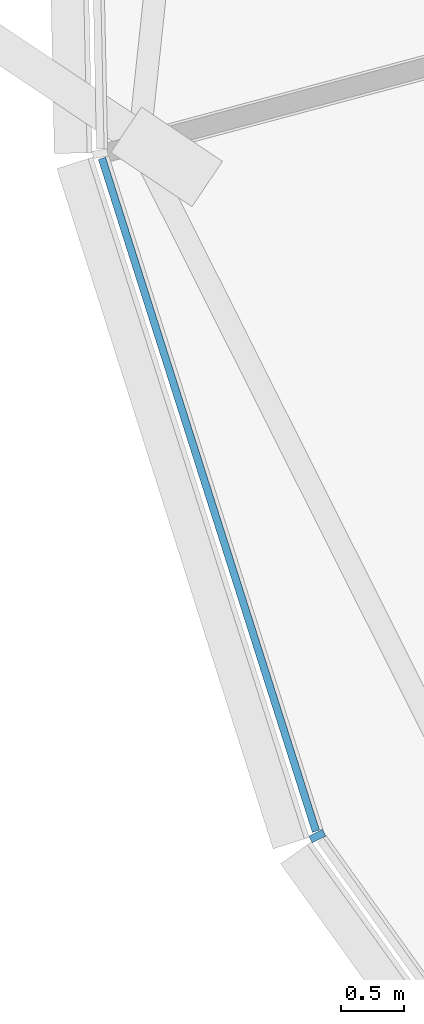
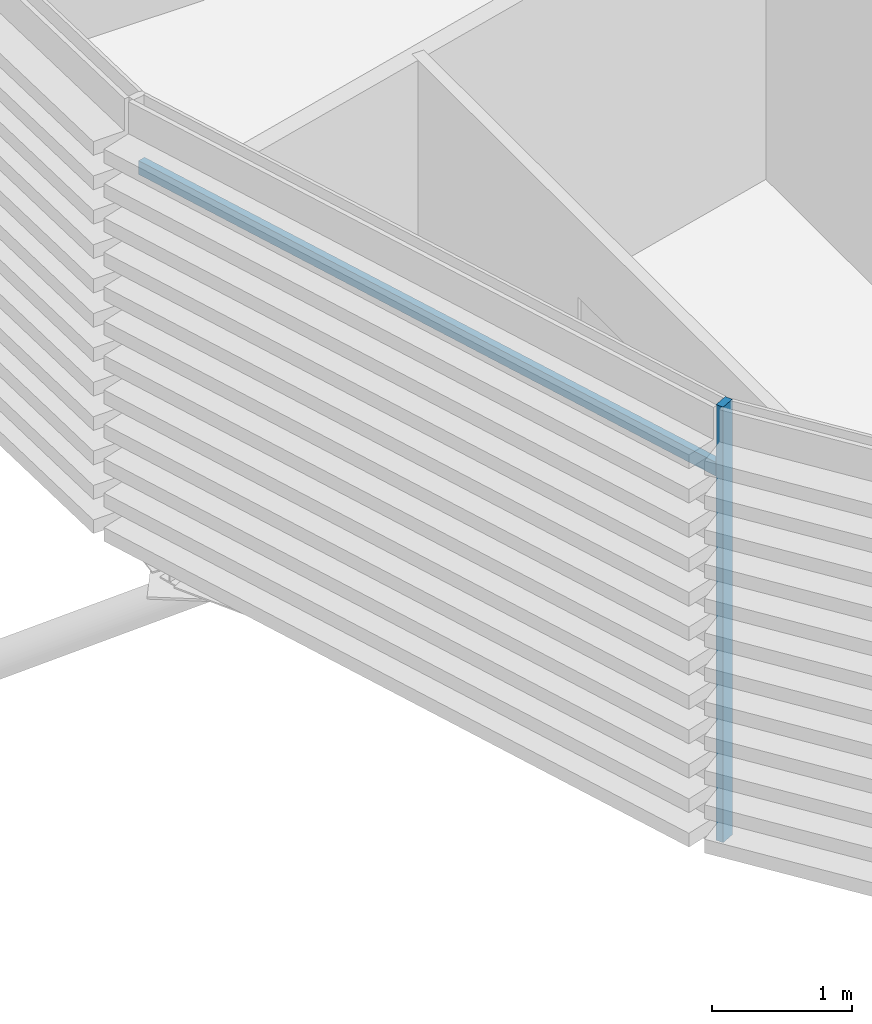
# One storey, part 7 of 36: 2 members, 1 element without a shape of its own.
"""IFC4 building model written with IfcOpenShell, lengths in metres."""

import ifcopenshell
import ifcopenshell.guid

model = None  # the IFC model being written
_history = None  # IfcOwnerHistory: only IFC2X3 demands one
_inside = {}  # id of a spatial element -> (the spatial element, [elements in it])
_under = {}  # id of a project, library or spatial element -> (it, [spatial elements below it])
_declared = {}  # id of a project -> (the project, [libraries it declares])
_typed = {}  # id of a type object -> (the type object, [elements of that type])
_made_of = {}  # id of a material, layer set ... -> (it, [elements and type objects made of it])


def new_model(schema):
    """Start an empty IFC model of exactly this schema.

    Asked for "IFC4X3", IfcOpenShell would pick the latest addendum, in which some entities
    have other attributes; the version numbers below select the first issue.
    IFC2X3 requires an IfcOwnerHistory on every rooted entity: one is made here for all.
    """
    global model, _history
    if schema == "IFC4X3":
        model = ifcopenshell.file(schema_version=(4, 3, 0, 0))
    else:
        model = ifcopenshell.file(schema=schema)
    _inside.clear()
    _under.clear()
    _declared.clear()
    _typed.clear()
    _made_of.clear()
    _history = None
    if model.schema == "IFC2X3":
        org = make("IfcOrganization", Name="unknown")
        user = make(
            "IfcPersonAndOrganization",
            ThePerson=make("IfcPerson", FamilyName="unknown"),
            TheOrganization=org,
        )
        app = make(
            "IfcApplication",
            ApplicationDeveloper=org,
            Version="unknown",
            ApplicationFullName="unknown",
            ApplicationIdentifier="unknown",
        )
        _history = make(
            "IfcOwnerHistory",
            OwningUser=user,
            OwningApplication=app,
            ChangeAction="ADDED",
            CreationDate=0,
        )
    return model


def make(cls, **values):
    """One entity of the class cls with the attributes given. An attribute that is None is left unset."""
    return model.create_entity(
        cls, **{name: value for name, value in values.items() if value is not None}
    )


def rooted(cls, **values):
    """An entity with a GlobalId (a new one), such as an element, a storey or a relation."""
    return make(cls, GlobalId=ifcopenshell.guid.new(), OwnerHistory=_history, **values)


def si_unit(unit_type, name, prefix=None):
    """IfcSIUnit, for example si_unit("LENGTHUNIT", "METRE", prefix="MILLI")."""
    return make("IfcSIUnit", UnitType=unit_type, Prefix=prefix, Name=name)


def assignment(units):
    """IfcUnitAssignment: the units of a project."""
    return None if units is None else make("IfcUnitAssignment", Units=units)


def point(xyz):
    """IfcCartesianPoint."""
    return None if xyz is None else make("IfcCartesianPoint", Coordinates=xyz)


def direction(xyz):
    """IfcDirection."""
    return None if xyz is None else make("IfcDirection", DirectionRatios=xyz)


def frame(location, z_axis=None, x_axis=None):
    """IfcAxis2Placement3D, a coordinate frame: its origin and axes. An axis left out is left unset."""
    return make(
        "IfcAxis2Placement3D",
        Location=point(location),
        Axis=direction(z_axis),
        RefDirection=direction(x_axis),
    )


def frame_2d(location, x_axis=None):
    """IfcAxis2Placement2D, a coordinate frame in the plane: its origin and x axis."""
    return make(
        "IfcAxis2Placement2D", Location=point(location), RefDirection=direction(x_axis)
    )


def origin():
    """The frame at (0, 0, 0) with its axes left unset."""
    return frame((0.0, 0.0, 0.0))


def origin_2d():
    """The frame at (0, 0) in the plane with its x axis left unset."""
    return frame_2d((0.0, 0.0))


def place(relative_to, where):
    """IfcLocalPlacement: puts the frame where relative to a parent placement (None: the world)."""
    return make(
        "IfcLocalPlacement", PlacementRelTo=relative_to, RelativePlacement=where
    )


def context(
    kind, dimensions, precision=None, world=None, true_north=None, identifier=None
):
    """IfcGeometricRepresentationContext, for example the 3D "Model" context."""
    return make(
        "IfcGeometricRepresentationContext",
        ContextIdentifier=identifier,
        ContextType=kind,
        CoordinateSpaceDimension=dimensions,
        Precision=precision,
        WorldCoordinateSystem=world,
        TrueNorth=true_north,
    )


def subcontext(parent, identifier, kind, view, scale=None):
    """IfcGeometricRepresentationSubContext, for example "Body" below "Model"."""
    return make(
        "IfcGeometricRepresentationSubContext",
        ContextIdentifier=identifier,
        ContextType=kind,
        ParentContext=parent,
        TargetScale=scale,
        TargetView=view,
    )


def project(units=None, contexts=None):
    """IfcProject with its units and contexts."""
    return rooted(
        "IfcProject",
        Name="project",
        RepresentationContexts=contexts,
        UnitsInContext=assignment(units),
    )


def spatial(cls, under=None, at=None, **own):
    """A site, building, storey or space (cls), placed at a placement, below another one or the project."""
    s = rooted(cls, ObjectPlacement=at, **own)
    if under is not None:
        _under.setdefault(under.id(), (under, []))[1].append(s)
    return s


def profile(cls, at=None, kind="AREA", **sizes):
    """A parametric profile (cls). Its sizes go by their IFC names, for example OverallWidth=200.0."""
    return make(cls, ProfileType=kind, Position=at, **sizes)


def rectangle(**sizes):
    """IfcRectangleProfileDef."""
    return profile("IfcRectangleProfileDef", **sizes)


def extrude(swept, where, along, depth):
    """IfcExtrudedAreaSolid: the profile swept, set in the frame where, extruded along a direction by depth."""
    return make(
        "IfcExtrudedAreaSolid",
        SweptArea=swept,
        Position=where,
        ExtrudedDirection=direction(along),
        Depth=depth,
    )


def shape(context_of_items, identifier, shape_type, items):
    """IfcShapeRepresentation: the items that make up one representation, for example the "Body"."""
    return make(
        "IfcShapeRepresentation",
        ContextOfItems=context_of_items,
        RepresentationIdentifier=identifier,
        RepresentationType=shape_type,
        Items=items,
    )


def material(Name=None, Category=None):
    """IfcMaterial."""
    return make("IfcMaterial", Name=Name, Category=Category)


def material_profile(
    of_material, cross_section, Name=None, Category=None, Priority=None
):
    """IfcMaterialProfile: a cross section and its material."""
    return make(
        "IfcMaterialProfile",
        Name=Name,
        Material=of_material,
        Profile=cross_section,
        Priority=Priority,
        Category=Category,
    )


def profile_set(profiles, Name=None, composite=None):
    """IfcMaterialProfileSet."""
    return make(
        "IfcMaterialProfileSet",
        Name=Name,
        MaterialProfiles=profiles,
        CompositeProfile=composite,
    )


def made_of(thing, what):
    """Note that an element or type object is made of a material, layer set ...; save() writes the relation."""
    if what is not None:
        _made_of.setdefault(what.id(), (what, []))[1].append(thing)
    return thing


def type_object(cls, material=None, **own):
    """A type object (cls), such as IfcWallType, which elements share."""
    return made_of(rooted(cls, **own), material)


def element(
    cls,
    number,
    at=None,
    inside=None,
    cuts=None,
    type_object=None,
    material=None,
    context=None,
    identifier="Body",
    shape_type=None,
    held_by="IfcProductDefinitionShape",
    body=None,
    shapes=None,
    **own,
):
    """One element of the class cls, such as IfcWall. Its Tag is "e" and its number.

    at: its placement. inside: the storey or other place that contains it. cuts: it is an
    opening in that element (IfcRelVoidsElement). A single representation is given by context,
    identifier, shape_type and body (its items); several are given by shapes. held_by: the class
    of the entity that holds the representations. save() writes the other relations.
    """
    e = rooted(cls, Tag="e%d" % number, ObjectPlacement=at, **own)
    if body is not None:
        shapes = [shape(context, identifier, shape_type, body)]
    if shapes is not None:
        e.Representation = make(held_by, Representations=shapes)
    if inside is not None:
        _inside.setdefault(inside.id(), (inside, []))[1].append(e)
    if cuts is not None:
        rooted(
            "IfcRelVoidsElement", RelatingBuildingElement=cuts, RelatedOpeningElement=e
        )
    if type_object is not None:
        _typed.setdefault(type_object.id(), (type_object, []))[1].append(e)
    return made_of(e, material)


def aggregate(whole, parts):
    """IfcRelAggregates: a whole, such as a stair, and the parts it consists of."""
    return rooted("IfcRelAggregates", RelatingObject=whole, RelatedObjects=parts)


def save(model, path):
    """Write the relations noted so far, then the file.

    IfcRelAggregates (storeys below a building ...), IfcRelContainedInSpatialStructure (elements
    in a storey), IfcRelDefinesByType, IfcRelAssociatesMaterial and IfcRelDeclares: one each for
    every whole, place, type object, material and project.
    """
    for whole, parts in _under.values():
        aggregate(whole, parts)
    for where, things in _inside.values():
        rooted(
            "IfcRelContainedInSpatialStructure",
            RelatedElements=things,
            RelatingStructure=where,
        )
    for kind, things in _typed.values():
        rooted("IfcRelDefinesByType", RelatedObjects=things, RelatingType=kind)
    for what, things in _made_of.values():
        rooted("IfcRelAssociatesMaterial", RelatedObjects=things, RelatingMaterial=what)
    for by, libraries in _declared.values():
        rooted("IfcRelDeclares", RelatingContext=by, RelatedDefinitions=libraries)
    model.write(path)


model = new_model("IFC4")

# Units and contexts
model_context = context("Model", 3, precision=1e-05, world=origin(), true_north=direction((0.0, 1.0)))
body_context = subcontext(model_context, "Body", "Model", "MODEL_VIEW")
ifc_project = project(units=[si_unit("LENGTHUNIT", "METRE"), si_unit("AREAUNIT", "SQUARE_METRE"), si_unit("VOLUMEUNIT", "CUBIC_METRE"), si_unit("PLANEANGLEUNIT", "RADIAN"), si_unit("MASSUNIT", "GRAM", prefix="KILO")], contexts=[model_context])

# Site, building, storey
site_placement = place(None, origin())
site = spatial("IfcSite", under=ifc_project, at=site_placement, CompositionType="ELEMENT")
building_placement = place(site_placement, origin())
building = spatial("IfcBuilding", under=site, at=building_placement, Name="Rimbun Link Towers", CompositionType="ELEMENT")
storey_placement = place(building_placement, frame((0.0, 0.0, 37.60009765625)))
storey = spatial("IfcBuildingStorey", under=building, at=storey_placement, Name="L08", CompositionType="ELEMENT", Elevation=37.60009765625)

# Curtain wall, members
ifc_material_1 = material(Name="Aluminium 6063-T6 and low-iron glass", Category="aluminium")
curtain_wall_type = type_object("IfcCurtainWallType", Name="CW1 unitised vision wall", PredefinedType="NOTDEFINED", material=ifc_material_1)
curtain_wall_placement = place(storey_placement, origin())
curtain_wall = element("IfcCurtainWall", 1, at=curtain_wall_placement, inside=storey, type_object=curtain_wall_type, Name="CW1 L08 T2", PredefinedType="NOTDEFINED")
ifc_material_2 = material(Name="Aluminium 6063-T6", Category="aluminium")
ifc_material_profile_1 = material_profile(ifc_material_2, rectangle(XDim=0.1201171875, YDim=0.06005859375, at=origin_2d()), Name="MULLION 60X120")
ifc_profile_set_1 = profile_set([ifc_material_profile_1], Name="Aluminium 6063-T6")
member_type_1 = type_object("IfcMemberType", Name="CW1 mullion 60X120", PredefinedType="MULLION", material=ifc_profile_set_1)
member_1_placement = place(storey_placement, frame((12.793212890625, -10.940673828125, 0.0), z_axis=(0.0, 0.0, 1.0), x_axis=(-0.893747475963, -0.448570450665, 0.0)))
member_1 = element("IfcMember", 2, at=member_1_placement, type_object=member_type_1, Name="CW1 mullion", PredefinedType="MULLION", context=body_context, shape_type="SweptSolid", body=[
    extrude(rectangle(XDim=0.1201171875, YDim=0.06005859375, at=origin_2d()), origin(), (0.0, 0.0, 1.0), 3.7998046875),
])
ifc_material_3 = material(Name="Aluminium 6063-T6", Category="aluminium")
ifc_material_profile_2 = material_profile(ifc_material_3, rectangle(XDim=0.06005859375, YDim=0.1201171875, at=origin_2d()), Name="TRANSOM 60X120")
ifc_profile_set_2 = profile_set([ifc_material_profile_2], Name="Aluminium 6063-T6")
member_type_2 = type_object("IfcMemberType", Name="CW1 transom 60X120", PredefinedType="USERDEFINED", material=ifc_profile_set_2)
member_2_placement = place(storey_placement, frame((12.782470703125, -10.902587890625, 3.199951171875), z_axis=(-0.303081185093, 0.952964739769, 0.0), x_axis=(-0.952964739769, -0.303081185093, 0.0)))
member_2 = element("IfcMember", 3, at=member_2_placement, type_object=member_type_2, Name="CW1 transom", ObjectType="TRANSOM", PredefinedType="USERDEFINED", context=body_context, shape_type="SweptSolid", body=[
    extrude(rectangle(XDim=0.06005859375, YDim=0.1201171875, at=origin_2d()), origin(), (0.0, 0.0, 1.0), 5.59521484375),
])
aggregate(curtain_wall, [member_1, member_2])

save(model, "model.ifc")
